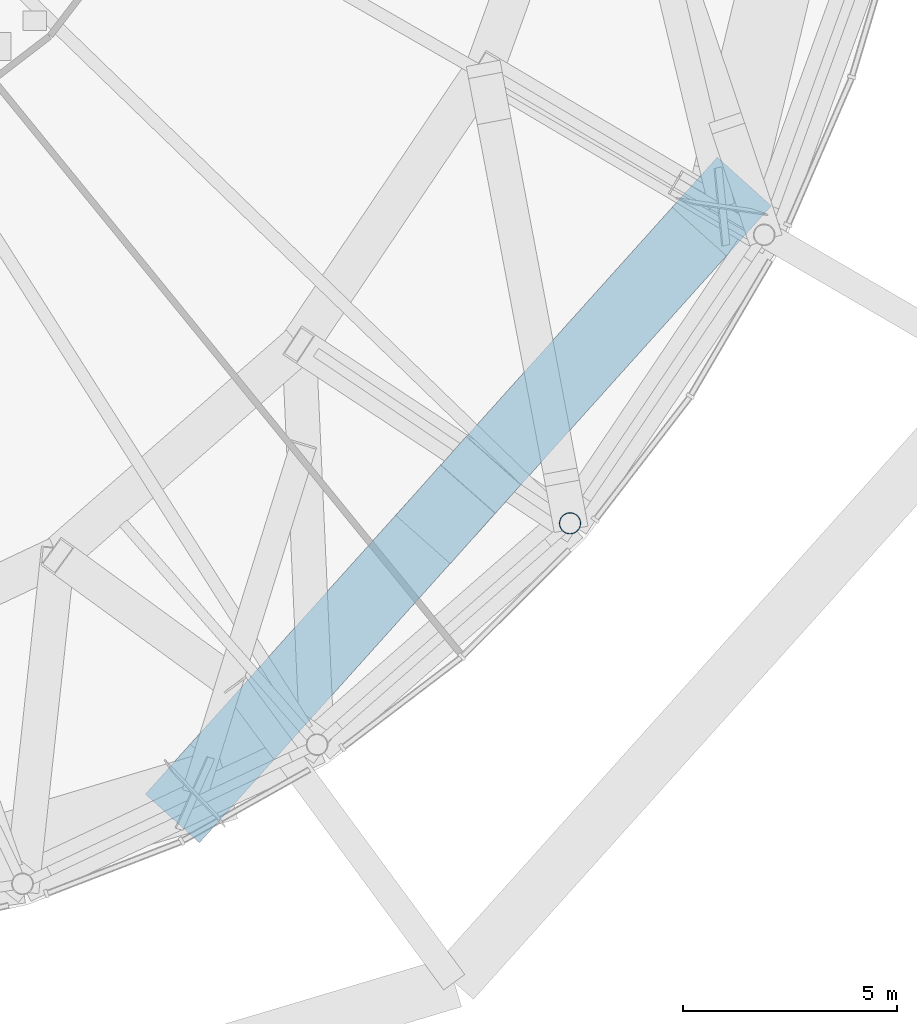
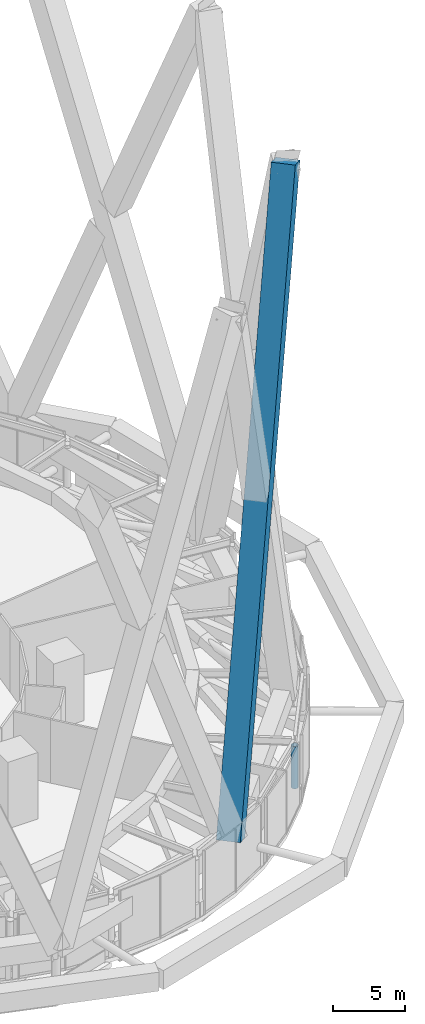
# One storey, part 14 of 51: 2 members.
"""IFC4 building model written with IfcOpenShell, lengths in metres."""

from ifc_helpers import new_model, si_unit, direction, frame, origin, origin_2d, place, context, subcontext, project, spatial, rectangle, hollow_circle, extrude, material, material_profile, profile_set, type_object, element, save


model = new_model("IFC4")

# Units and contexts
model_context = context("Model", 3, precision=1e-05, world=origin(), true_north=direction((0.0, 1.0)))
body_context = subcontext(model_context, "Body", "Model", "MODEL_VIEW")
ifc_project = project(units=[si_unit("LENGTHUNIT", "METRE"), si_unit("AREAUNIT", "SQUARE_METRE"), si_unit("VOLUMEUNIT", "CUBIC_METRE"), si_unit("PLANEANGLEUNIT", "RADIAN"), si_unit("MASSUNIT", "GRAM", prefix="KILO")], contexts=[model_context])

# Site, building, storey
site_placement = place(None, origin())
site = spatial("IfcSite", under=ifc_project, at=site_placement, CompositionType="ELEMENT")
building_placement = place(site_placement, origin())
building = spatial("IfcBuilding", under=site, at=building_placement, Name="Nagisa Residences", CompositionType="ELEMENT")
storey_placement = place(building_placement, frame((0.0, 0.0, 67.699951171875)))
storey = spatial("IfcBuildingStorey", under=building, at=storey_placement, Name="L16", CompositionType="ELEMENT", Elevation=67.699951171875)

# Members
ifc_material_1 = material(Name="Concrete C80", Category="concrete")
ifc_material_profile_1 = material_profile(ifc_material_1, rectangle(XDim=1.699951171875, YDim=1.699951171875, at=origin_2d()), Name="C80 1700x1700")
ifc_profile_set_1 = profile_set([ifc_material_profile_1], Name="Concrete C80")
member_type_1 = type_object("IfcMemberType", Name="Cage diagonal 2 C80 1700x1700", PredefinedType="BRACE", material=ifc_profile_set_1)
member_1_placement = place(storey_placement, frame((14.99755859375, -29.28466796875, 3.699951171875), z_axis=(0.255349646775, 0.2843842811, 0.924079075921), x_axis=(-0.744069300954, 0.668102443775, 0.0)))
element("IfcMember", 1, at=member_1_placement, inside=storey, type_object=member_type_1, Name="mem:L16:cg2d021", PredefinedType="BRACE", context=body_context, shape_type="SweptSolid", body=[
    extrude(rectangle(XDim=1.699951171875, YDim=1.699951171875, at=origin_2d()), origin(), (0.0, 0.0, 1.0), 48.156005859375),
])
ifc_material_2 = material(Name="Steel ASTM A572 Gr 65", Category="steel")
ifc_material_profile_2 = material_profile(ifc_material_2, hollow_circle(Radius=0.25390625, WallThickness=0.02001953125, at=origin_2d()), Name="CHS 508x20")
ifc_profile_set_2 = profile_set([ifc_material_profile_2], Name="Steel ASTM A572 Gr 65")
member_type_2 = type_object("IfcMemberType", Name="Garden edge post CHS 508x20", PredefinedType="POST", material=ifc_profile_set_2)
member_2_placement = place(storey_placement, frame((23.75244140625, -22.98095703125, 1.199951171875), z_axis=(0.0, 0.0, 1.0), x_axis=(1.0, 0.0, 0.0)))
element("IfcMember", 2, at=member_2_placement, inside=storey, type_object=member_type_2, Name="mem:L16:gp122", PredefinedType="POST", context=body_context, shape_type="SweptSolid", body=[
    extrude(hollow_circle(Radius=0.25390625, WallThickness=0.02001953125, at=origin_2d()), origin(), (0.0, 0.0, 1.0), 3.537109375),
])

save(model, "model.ifc")
